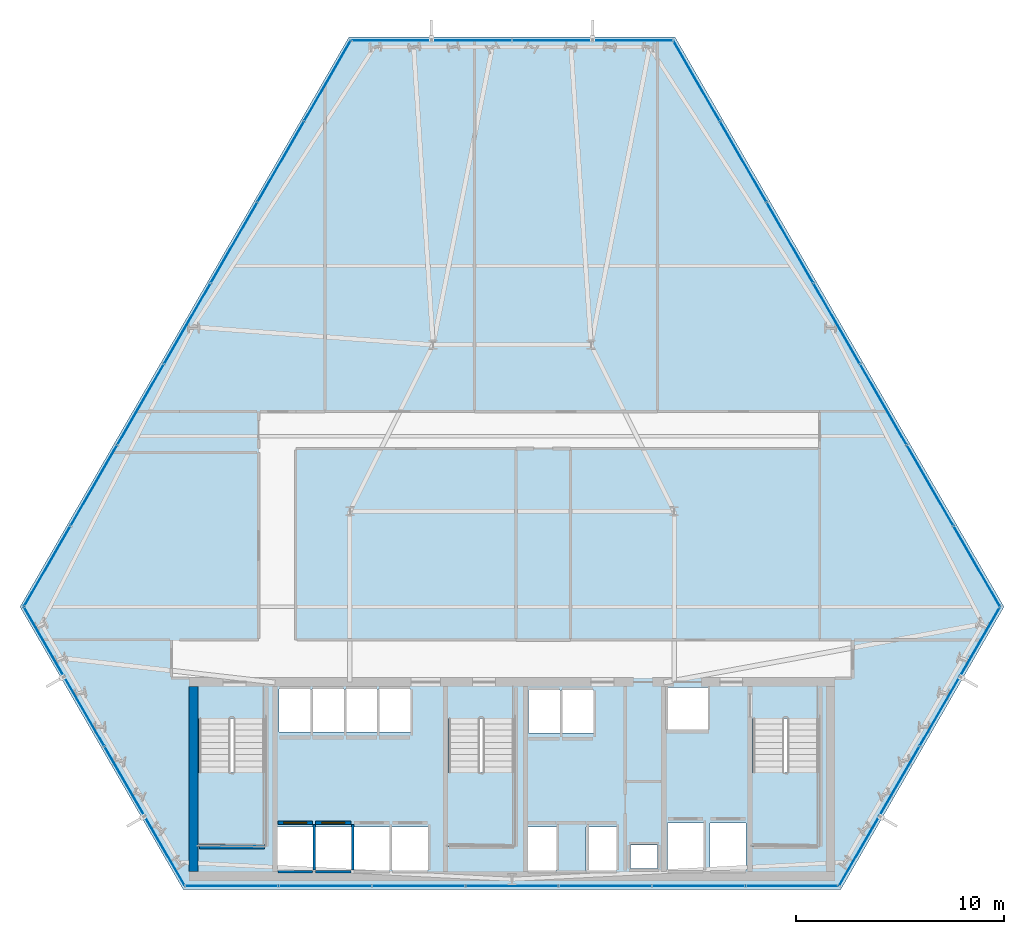
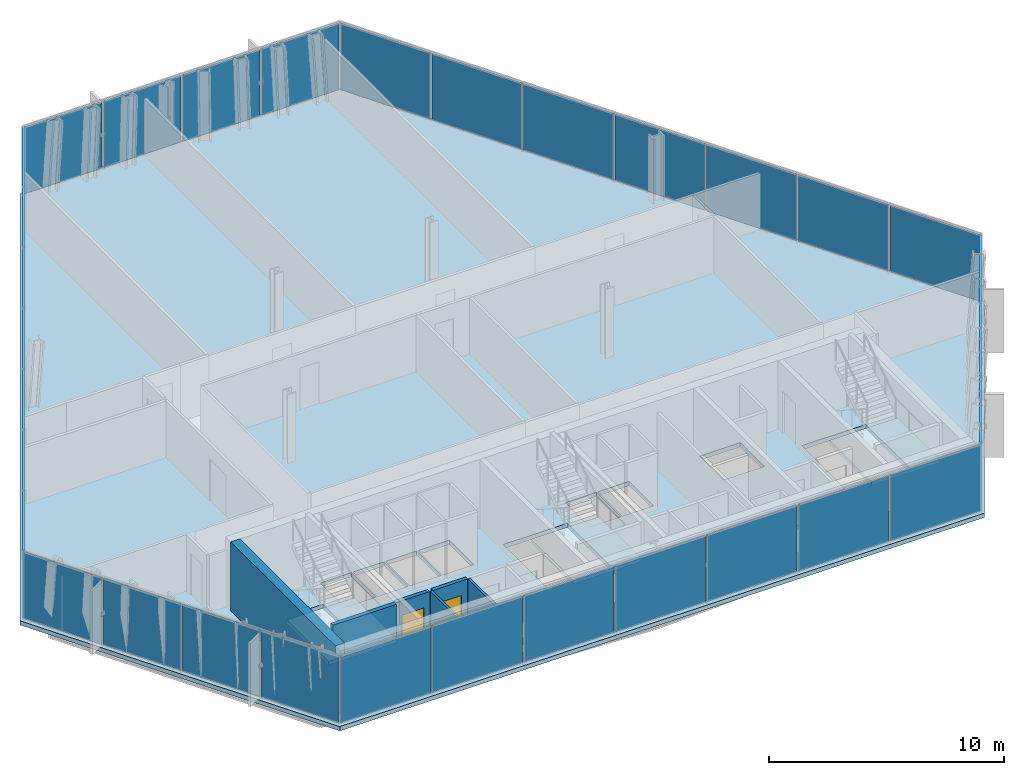
# One storey, part 25 of 32: 33 plates, 8 walls, 4 slabs, 2 doors, 2 openings, 9 elements without a shape of their own.
"""IFC4 building model written with IfcOpenShell, lengths in metres."""

from ifc_helpers import new_model, si_unit, direction, frame, frame_2d, origin, origin_2d, place, context, subcontext, project, spatial, polyline, rectangle, outline, extrude, material, layer, layer_set, type_object, element, fill, aggregate, save


model = new_model("IFC4")

# Units and contexts
model_context = context("Model", 3, precision=1e-05, world=origin(), true_north=direction((0.0, 1.0)))
body_context = subcontext(model_context, "Body", "Model", "MODEL_VIEW")
ifc_project = project(units=[si_unit("LENGTHUNIT", "METRE"), si_unit("AREAUNIT", "SQUARE_METRE"), si_unit("VOLUMEUNIT", "CUBIC_METRE"), si_unit("PLANEANGLEUNIT", "RADIAN"), si_unit("MASSUNIT", "GRAM", prefix="KILO")], contexts=[model_context])

# Site, building, storey
site_placement = place(None, origin())
site = spatial("IfcSite", under=ifc_project, at=site_placement, CompositionType="ELEMENT")
building_placement = place(site_placement, origin())
building = spatial("IfcBuilding", under=site, at=building_placement, Name="Ndaravel Arena Tower", CompositionType="ELEMENT")
storey_placement = place(building_placement, frame((0.0, 0.0, 66.39990234375)))
storey = spatial("IfcBuildingStorey", under=building, at=storey_placement, Name="L14", CompositionType="ELEMENT", Elevation=66.39990234375)

# Curtain wall, plate
ifc_material_1 = material(Name="Aluminium", Category="aluminium")
ifc_layer_1 = layer(ifc_material_1, 0.179931640625)
ifc_layer_set_1 = layer_set([ifc_layer_1], Name="Aluminium")
curtain_wall_type_1 = type_object("IfcCurtainWallType", Name="CW-SYS-01", PredefinedType="NOTDEFINED", material=ifc_layer_set_1)
curtain_wall_1_placement = place(storey_placement, origin())
curtain_wall_1 = element("IfcCurtainWall", 1, at=curtain_wall_1_placement, inside=storey, type_object=curtain_wall_type_1, Name="L14 Faceted Crystal Curtain Wall CW-L14-E02", PredefinedType="NOTDEFINED")
ifc_material_2 = material(Name="Glazing", Category="glass")
ifc_layer_2 = layer(ifc_material_2, 0.035888671875)
ifc_layer_set_2 = layer_set([ifc_layer_2], Name="Glazing")
plate_type_1 = type_object("IfcPlateType", Name="PLT-CW-OPVENT", PredefinedType="CURTAIN_PANEL", material=ifc_layer_set_2)
plate_1_placement = place(storey_placement, frame((60.6435546875, 10.19775390625, 0.06005859375), z_axis=(0.0, 0.0, 1.0), x_axis=(0.5, 0.866025403784, 0.0)))
plate_1 = element("IfcPlate", 2, at=plate_1_placement, type_object=plate_type_1, Name="CW-L14-E02 Operable Vent Sash Panel 02", PredefinedType="CURTAIN_PANEL", context=body_context, shape_type="SweptSolid", body=[
    extrude(rectangle(XDim=3.798095703125, YDim=0.035888671875, at=origin_2d()), origin(), (0.0, 0.0, 1.0), 3.4599609375),
])

curtain_wall_2_placement = place(storey_placement, origin())
curtain_wall_2 = element("IfcCurtainWall", 3, at=curtain_wall_2_placement, inside=storey, type_object=curtain_wall_type_1, Name="L14 Faceted Crystal Curtain Wall CW-L14-E04", PredefinedType="NOTDEFINED")
plate_2_placement = place(storey_placement, frame((43.93896484375, 45.847900390625, 0.06005859375), z_axis=(0.0, 0.0, 1.0), x_axis=(-1.0, 0.0, 0.0)))
plate_2 = element("IfcPlate", 4, at=plate_2_placement, type_object=plate_type_1, Name="CW-L14-E04 Operable Vent Sash Panel 02", PredefinedType="CURTAIN_PANEL", context=body_context, shape_type="SweptSolid", body=[
    extrude(rectangle(XDim=3.798095703125, YDim=0.035888671875, at=origin_2d()), origin(), (0.0, 0.0, 1.0), 3.4599609375),
])

ifc_material_3 = material(Name="Aluminium", Category="aluminium")
ifc_layer_3 = layer(ifc_material_3, 0.179931640625)
ifc_layer_set_3 = layer_set([ifc_layer_3], Name="Aluminium")
curtain_wall_type_2 = type_object("IfcCurtainWallType", Name="CW-SYS-02", PredefinedType="NOTDEFINED", material=ifc_layer_set_3)
curtain_wall_3_placement = place(storey_placement, origin())
curtain_wall_3 = element("IfcCurtainWall", 5, at=curtain_wall_3_placement, inside=storey, type_object=curtain_wall_type_2, Name="L14 Faceted Crystal Curtain Wall CW-L14-E06", PredefinedType="NOTDEFINED")
plate_3_placement = place(storey_placement, frame((21.41748046875, 13.55615234375, 0.06005859375), z_axis=(0.0, 0.0, 1.0), x_axis=(0.5, -0.866025403784, 0.0)))
plate_3 = element("IfcPlate", 6, at=plate_3_placement, type_object=plate_type_1, Name="CW-L14-E06 Operable Vent Sash Panel 02", PredefinedType="CURTAIN_PANEL", context=body_context, shape_type="SweptSolid", body=[
    extrude(rectangle(XDim=3.798095703125, YDim=0.035888671875, at=origin_2d()), origin(), (0.0, 0.0, 1.0), 3.4599609375),
])

# Plate
ifc_material_4 = material(Name="Glazing", Category="glass")
ifc_layer_4 = layer(ifc_material_4, 0.031982421875)
ifc_layer_set_4 = layer_set([ifc_layer_4], Name="Glazing")
plate_type_2 = type_object("IfcPlateType", Name="PLT-GLZ-FRIT35", PredefinedType="CURTAIN_PANEL", material=ifc_layer_set_4)
plate_4_placement = place(storey_placement, frame((58.70458984375, 6.839111328125, 0.06005859375), z_axis=(0.0, 0.0, 1.0), x_axis=(0.5, 0.866025403784, 0.0)))
plate_4 = element("IfcPlate", 7, at=plate_4_placement, type_object=plate_type_2, Name="CW-L14-E02 Vision Glass Panel 01", PredefinedType="CURTAIN_PANEL", context=body_context, shape_type="SweptSolid", body=[
    extrude(rectangle(XDim=3.798095703125, YDim=0.035888671875, at=origin_2d()), origin(), (0.0, 0.0, 1.0), 3.4599609375),
])

plate_5_placement = place(storey_placement, frame((62.58251953125, 13.55615234375, 0.06005859375), z_axis=(0.0, 0.0, 1.0), x_axis=(0.5, 0.866025403784, 0.0)))
plate_5 = element("IfcPlate", 8, at=plate_5_placement, type_object=plate_type_2, Name="CW-L14-E02 Vision Glass Panel 03", PredefinedType="CURTAIN_PANEL", context=body_context, shape_type="SweptSolid", body=[
    extrude(rectangle(XDim=3.798095703125, YDim=0.035888671875, at=origin_2d()), origin(), (0.0, 0.0, 1.0), 3.4599609375),
])

plate_6_placement = place(storey_placement, frame((64.521484375, 16.914794921875, 0.06005859375), z_axis=(0.0, 0.0, 1.0), x_axis=(0.5, 0.866025403784, 0.0)))
plate_6 = element("IfcPlate", 9, at=plate_6_placement, type_object=plate_type_2, Name="CW-L14-E02 Vision Glass Panel 04", PredefinedType="CURTAIN_PANEL", context=body_context, shape_type="SweptSolid", body=[
    extrude(rectangle(XDim=3.798095703125, YDim=0.035888671875, at=origin_2d()), origin(), (0.0, 0.0, 1.0), 3.4599609375),
])

aggregate(curtain_wall_1, [plate_4, plate_1, plate_5, plate_6])

plate_7_placement = place(storey_placement, frame((47.817138671875, 45.847900390625, 0.06005859375), z_axis=(0.0, 0.0, 1.0), x_axis=(-1.0, 0.0, 0.0)))
plate_7 = element("IfcPlate", 10, at=plate_7_placement, type_object=plate_type_2, Name="CW-L14-E04 Vision Glass Panel 01", PredefinedType="CURTAIN_PANEL", context=body_context, shape_type="SweptSolid", body=[
    extrude(rectangle(XDim=3.798095703125, YDim=0.035888671875, at=origin_2d()), origin(), (0.0, 0.0, 1.0), 3.4599609375),
])

plate_8_placement = place(storey_placement, frame((40.06103515625, 45.847900390625, 0.06005859375), z_axis=(0.0, 0.0, 1.0), x_axis=(-1.0, 0.0, 0.0)))
plate_8 = element("IfcPlate", 11, at=plate_8_placement, type_object=plate_type_2, Name="CW-L14-E04 Vision Glass Panel 03", PredefinedType="CURTAIN_PANEL", context=body_context, shape_type="SweptSolid", body=[
    extrude(rectangle(XDim=3.798095703125, YDim=0.035888671875, at=origin_2d()), origin(), (0.0, 0.0, 1.0), 3.4599609375),
])

plate_9_placement = place(storey_placement, frame((36.182861328125, 45.847900390625, 0.06005859375), z_axis=(0.0, 0.0, 1.0), x_axis=(-1.0, 0.0, 0.0)))
plate_9 = element("IfcPlate", 12, at=plate_9_placement, type_object=plate_type_2, Name="CW-L14-E04 Vision Glass Panel 04", PredefinedType="CURTAIN_PANEL", context=body_context, shape_type="SweptSolid", body=[
    extrude(rectangle(XDim=3.798095703125, YDim=0.035888671875, at=origin_2d()), origin(), (0.0, 0.0, 1.0), 3.4599609375),
])

aggregate(curtain_wall_2, [plate_7, plate_2, plate_8, plate_9])

ifc_material_5 = material(Name="Glazing", Category="glass")
ifc_layer_5 = layer(ifc_material_5, 0.035888671875)
ifc_layer_set_5 = layer_set([ifc_layer_5], Name="Glazing")
plate_type_3 = type_object("IfcPlateType", Name="PLT-GLZ-FRIT55", PredefinedType="CURTAIN_PANEL", material=ifc_layer_set_5)
plate_10_placement = place(storey_placement, frame((19.478515625, 16.914794921875, 0.06005859375), z_axis=(0.0, 0.0, 1.0), x_axis=(0.5, -0.866025403784, 0.0)))
plate_10 = element("IfcPlate", 13, at=plate_10_placement, type_object=plate_type_3, Name="CW-L14-E06 Vision Glass Panel 01", PredefinedType="CURTAIN_PANEL", context=body_context, shape_type="SweptSolid", body=[
    extrude(rectangle(XDim=3.798095703125, YDim=0.035888671875, at=origin_2d()), origin(), (0.0, 0.0, 1.0), 3.4599609375),
])

plate_11_placement = place(storey_placement, frame((23.3564453125, 10.19775390625, 0.06005859375), z_axis=(0.0, 0.0, 1.0), x_axis=(0.5, -0.866025403784, 0.0)))
plate_11 = element("IfcPlate", 14, at=plate_11_placement, type_object=plate_type_3, Name="CW-L14-E06 Vision Glass Panel 03", PredefinedType="CURTAIN_PANEL", context=body_context, shape_type="SweptSolid", body=[
    extrude(rectangle(XDim=3.798095703125, YDim=0.035888671875, at=origin_2d()), origin(), (0.0, 0.0, 1.0), 3.4599609375),
])

plate_12_placement = place(storey_placement, frame((25.29541015625, 6.839111328125, 0.06005859375), z_axis=(0.0, 0.0, 1.0), x_axis=(0.5, -0.866025403784, 0.0)))
plate_12 = element("IfcPlate", 15, at=plate_12_placement, type_object=plate_type_3, Name="CW-L14-E06 Vision Glass Panel 04", PredefinedType="CURTAIN_PANEL", context=body_context, shape_type="SweptSolid", body=[
    extrude(rectangle(XDim=3.798095703125, YDim=0.035888671875, at=origin_2d()), origin(), (0.0, 0.0, 1.0), 3.4599609375),
])

aggregate(curtain_wall_3, [plate_10, plate_3, plate_11, plate_12])

# Curtain wall, plates
ifc_material_6 = material(Name="Aluminium", Category="aluminium")
ifc_layer_6 = layer(ifc_material_6, 0.179931640625)
ifc_layer_set_6 = layer_set([ifc_layer_6], Name="Aluminium")
curtain_wall_type_3 = type_object("IfcCurtainWallType", Name="CW-SYS-03", PredefinedType="NOTDEFINED", material=ifc_layer_set_6)
curtain_wall_4_placement = place(storey_placement, origin())
curtain_wall_4 = element("IfcCurtainWall", 16, at=curtain_wall_4_placement, inside=storey, type_object=curtain_wall_type_3, Name="L14 Faceted Crystal Curtain Wall CW-L14-E01", PredefinedType="NOTDEFINED")
ifc_material_7 = material(Name="Glazing", Category="glass")
ifc_layer_7 = layer(ifc_material_7, 0.0400390625)
ifc_layer_set_7 = layer_set([ifc_layer_7], Name="Glazing")
plate_type_4 = type_object("IfcPlateType", Name="PLT-GLZ-LOWIRON", PredefinedType="CURTAIN_PANEL", material=ifc_layer_set_7)
plate_13_placement = place(storey_placement, frame((28.512939453125, 5.159912109375, 0.06005859375), z_axis=(0.0, 0.0, 1.0), x_axis=(1.0, 0.0, 0.0)))
plate_13 = element("IfcPlate", 17, at=plate_13_placement, type_object=plate_type_4, Name="CW-L14-E01 Vision Glass Panel 01", PredefinedType="CURTAIN_PANEL", context=body_context, shape_type="SweptSolid", body=[
    extrude(rectangle(XDim=4.415771484375, YDim=0.035888671875, at=origin_2d()), origin(), (0.0, 0.0, 1.0), 3.4599609375),
])
plate_14_placement = place(storey_placement, frame((33.008544921875, 5.159912109375, 0.06005859375), z_axis=(0.0, 0.0, 1.0), x_axis=(1.0, 0.0, 0.0)))
plate_14 = element("IfcPlate", 18, at=plate_14_placement, type_object=plate_type_4, Name="CW-L14-E01 Vision Glass Panel 02", PredefinedType="CURTAIN_PANEL", context=body_context, shape_type="SweptSolid", body=[
    extrude(rectangle(XDim=4.415771484375, YDim=0.035888671875, at=origin_2d()), origin(), (0.0, 0.0, 1.0), 3.4599609375),
])
plate_15_placement = place(storey_placement, frame((37.50439453125, 5.159912109375, 0.06005859375), z_axis=(0.0, 0.0, 1.0), x_axis=(1.0, 0.0, 0.0)))
plate_15 = element("IfcPlate", 19, at=plate_15_placement, type_object=plate_type_4, Name="CW-L14-E01 Vision Glass Panel 03", PredefinedType="CURTAIN_PANEL", context=body_context, shape_type="SweptSolid", body=[
    extrude(rectangle(XDim=4.415771484375, YDim=0.035888671875, at=origin_2d()), origin(), (0.0, 0.0, 1.0), 3.4599609375),
])
plate_16_placement = place(storey_placement, frame((42.0, 5.159912109375, 0.06005859375), z_axis=(0.0, 0.0, 1.0), x_axis=(1.0, 0.0, 0.0)))
plate_16 = element("IfcPlate", 20, at=plate_16_placement, type_object=plate_type_4, Name="CW-L14-E01 Vision Glass Panel 04", PredefinedType="CURTAIN_PANEL", context=body_context, shape_type="SweptSolid", body=[
    extrude(rectangle(XDim=4.415771484375, YDim=0.035888671875, at=origin_2d()), origin(), (0.0, 0.0, 1.0), 3.4599609375),
])
plate_17_placement = place(storey_placement, frame((46.49560546875, 5.159912109375, 0.06005859375), z_axis=(0.0, 0.0, 1.0), x_axis=(1.0, 0.0, 0.0)))
plate_17 = element("IfcPlate", 21, at=plate_17_placement, type_object=plate_type_4, Name="CW-L14-E01 Vision Glass Panel 05", PredefinedType="CURTAIN_PANEL", context=body_context, shape_type="SweptSolid", body=[
    extrude(rectangle(XDim=4.415771484375, YDim=0.035888671875, at=origin_2d()), origin(), (0.0, 0.0, 1.0), 3.4599609375),
])
plate_18_placement = place(storey_placement, frame((50.991455078125, 5.159912109375, 0.06005859375), z_axis=(0.0, 0.0, 1.0), x_axis=(1.0, 0.0, 0.0)))
plate_18 = element("IfcPlate", 22, at=plate_18_placement, type_object=plate_type_4, Name="CW-L14-E01 Vision Glass Panel 06", PredefinedType="CURTAIN_PANEL", context=body_context, shape_type="SweptSolid", body=[
    extrude(rectangle(XDim=4.415771484375, YDim=0.035888671875, at=origin_2d()), origin(), (0.0, 0.0, 1.0), 3.4599609375),
])
plate_19_placement = place(storey_placement, frame((55.487060546875, 5.159912109375, 0.06005859375), z_axis=(0.0, 0.0, 1.0), x_axis=(1.0, 0.0, 0.0)))
plate_19 = element("IfcPlate", 23, at=plate_19_placement, type_object=plate_type_4, Name="CW-L14-E01 Vision Glass Panel 07", PredefinedType="CURTAIN_PANEL", context=body_context, shape_type="SweptSolid", body=[
    extrude(rectangle(XDim=4.415771484375, YDim=0.035888671875, at=origin_2d()), origin(), (0.0, 0.0, 1.0), 3.4599609375),
])
aggregate(curtain_wall_4, [plate_13, plate_14, plate_15, plate_16, plate_17, plate_18, plate_19])

curtain_wall_5_placement = place(storey_placement, origin())
curtain_wall_5 = element("IfcCurtainWall", 24, at=curtain_wall_5_placement, inside=storey, type_object=curtain_wall_type_3, Name="L14 Faceted Crystal Curtain Wall CW-L14-E03", PredefinedType="NOTDEFINED")
plate_20_placement = place(storey_placement, frame((64.3671875, 20.54052734375, 0.06005859375), z_axis=(0.0, 0.0, 1.0), x_axis=(-0.5, 0.866025403784, 0.0)))
plate_20 = element("IfcPlate", 25, at=plate_20_placement, type_object=plate_type_4, Name="CW-L14-E03 Vision Glass Panel 01", PredefinedType="CURTAIN_PANEL", context=body_context, shape_type="SweptSolid", body=[
    extrude(rectangle(XDim=4.415771484375, YDim=0.035888671875, at=origin_2d()), origin(), (0.0, 0.0, 1.0), 3.4599609375),
])
plate_21_placement = place(storey_placement, frame((62.119384765625, 24.43408203125, 0.06005859375), z_axis=(0.0, 0.0, 1.0), x_axis=(-0.5, 0.866025403784, 0.0)))
plate_21 = element("IfcPlate", 26, at=plate_21_placement, type_object=plate_type_4, Name="CW-L14-E03 Vision Glass Panel 02", PredefinedType="CURTAIN_PANEL", context=body_context, shape_type="SweptSolid", body=[
    extrude(rectangle(XDim=4.415771484375, YDim=0.035888671875, at=origin_2d()), origin(), (0.0, 0.0, 1.0), 3.4599609375),
])
plate_22_placement = place(storey_placement, frame((59.87158203125, 28.327392578125, 0.06005859375), z_axis=(0.0, 0.0, 1.0), x_axis=(-0.5, 0.866025403784, 0.0)))
plate_22 = element("IfcPlate", 27, at=plate_22_placement, type_object=plate_type_4, Name="CW-L14-E03 Vision Glass Panel 03", PredefinedType="CURTAIN_PANEL", context=body_context, shape_type="SweptSolid", body=[
    extrude(rectangle(XDim=4.415771484375, YDim=0.035888671875, at=origin_2d()), origin(), (0.0, 0.0, 1.0), 3.4599609375),
])
plate_23_placement = place(storey_placement, frame((57.62353515625, 32.220947265625, 0.06005859375), z_axis=(0.0, 0.0, 1.0), x_axis=(-0.5, 0.866025403784, 0.0)))
plate_23 = element("IfcPlate", 28, at=plate_23_placement, type_object=plate_type_4, Name="CW-L14-E03 Vision Glass Panel 04", PredefinedType="CURTAIN_PANEL", context=body_context, shape_type="SweptSolid", body=[
    extrude(rectangle(XDim=4.415771484375, YDim=0.035888671875, at=origin_2d()), origin(), (0.0, 0.0, 1.0), 3.4599609375),
])
plate_24_placement = place(storey_placement, frame((55.375732421875, 36.1142578125, 0.06005859375), z_axis=(0.0, 0.0, 1.0), x_axis=(-0.5, 0.866025403784, 0.0)))
plate_24 = element("IfcPlate", 29, at=plate_24_placement, type_object=plate_type_4, Name="CW-L14-E03 Vision Glass Panel 05", PredefinedType="CURTAIN_PANEL", context=body_context, shape_type="SweptSolid", body=[
    extrude(rectangle(XDim=4.415771484375, YDim=0.035888671875, at=origin_2d()), origin(), (0.0, 0.0, 1.0), 3.4599609375),
])
plate_25_placement = place(storey_placement, frame((53.1279296875, 40.0078125, 0.06005859375), z_axis=(0.0, 0.0, 1.0), x_axis=(-0.5, 0.866025403784, 0.0)))
plate_25 = element("IfcPlate", 30, at=plate_25_placement, type_object=plate_type_4, Name="CW-L14-E03 Vision Glass Panel 06", PredefinedType="CURTAIN_PANEL", context=body_context, shape_type="SweptSolid", body=[
    extrude(rectangle(XDim=4.415771484375, YDim=0.035888671875, at=origin_2d()), origin(), (0.0, 0.0, 1.0), 3.4599609375),
])
plate_26_placement = place(storey_placement, frame((50.8798828125, 43.901123046875, 0.06005859375), z_axis=(0.0, 0.0, 1.0), x_axis=(-0.5, 0.866025403784, 0.0)))
plate_26 = element("IfcPlate", 31, at=plate_26_placement, type_object=plate_type_4, Name="CW-L14-E03 Vision Glass Panel 07", PredefinedType="CURTAIN_PANEL", context=body_context, shape_type="SweptSolid", body=[
    extrude(rectangle(XDim=4.415771484375, YDim=0.035888671875, at=origin_2d()), origin(), (0.0, 0.0, 1.0), 3.4599609375),
])
aggregate(curtain_wall_5, [plate_20, plate_21, plate_22, plate_23, plate_24, plate_25, plate_26])

curtain_wall_6_placement = place(storey_placement, origin())
curtain_wall_6 = element("IfcCurtainWall", 32, at=curtain_wall_6_placement, inside=storey, type_object=curtain_wall_type_3, Name="L14 Faceted Crystal Curtain Wall CW-L14-E05", PredefinedType="NOTDEFINED")
plate_27_placement = place(storey_placement, frame((33.1201171875, 43.901123046875, 0.06005859375), z_axis=(0.0, 0.0, 1.0), x_axis=(-0.5, -0.866025403784, 0.0)))
plate_27 = element("IfcPlate", 33, at=plate_27_placement, type_object=plate_type_4, Name="CW-L14-E05 Vision Glass Panel 01", PredefinedType="CURTAIN_PANEL", context=body_context, shape_type="SweptSolid", body=[
    extrude(rectangle(XDim=4.415771484375, YDim=0.035888671875, at=origin_2d()), origin(), (0.0, 0.0, 1.0), 3.4599609375),
])
plate_28_placement = place(storey_placement, frame((30.8720703125, 40.0078125, 0.06005859375), z_axis=(0.0, 0.0, 1.0), x_axis=(-0.5, -0.866025403784, 0.0)))
plate_28 = element("IfcPlate", 34, at=plate_28_placement, type_object=plate_type_4, Name="CW-L14-E05 Vision Glass Panel 02", PredefinedType="CURTAIN_PANEL", context=body_context, shape_type="SweptSolid", body=[
    extrude(rectangle(XDim=4.415771484375, YDim=0.035888671875, at=origin_2d()), origin(), (0.0, 0.0, 1.0), 3.4599609375),
])
plate_29_placement = place(storey_placement, frame((28.624267578125, 36.1142578125, 0.06005859375), z_axis=(0.0, 0.0, 1.0), x_axis=(-0.5, -0.866025403784, 0.0)))
plate_29 = element("IfcPlate", 35, at=plate_29_placement, type_object=plate_type_4, Name="CW-L14-E05 Vision Glass Panel 03", PredefinedType="CURTAIN_PANEL", context=body_context, shape_type="SweptSolid", body=[
    extrude(rectangle(XDim=4.415771484375, YDim=0.035888671875, at=origin_2d()), origin(), (0.0, 0.0, 1.0), 3.4599609375),
])
plate_30_placement = place(storey_placement, frame((26.37646484375, 32.220947265625, 0.06005859375), z_axis=(0.0, 0.0, 1.0), x_axis=(-0.5, -0.866025403784, 0.0)))
plate_30 = element("IfcPlate", 36, at=plate_30_placement, type_object=plate_type_4, Name="CW-L14-E05 Vision Glass Panel 04", PredefinedType="CURTAIN_PANEL", context=body_context, shape_type="SweptSolid", body=[
    extrude(rectangle(XDim=4.415771484375, YDim=0.035888671875, at=origin_2d()), origin(), (0.0, 0.0, 1.0), 3.4599609375),
])
plate_31_placement = place(storey_placement, frame((24.12841796875, 28.327392578125, 0.06005859375), z_axis=(0.0, 0.0, 1.0), x_axis=(-0.5, -0.866025403784, 0.0)))
plate_31 = element("IfcPlate", 37, at=plate_31_placement, type_object=plate_type_4, Name="CW-L14-E05 Vision Glass Panel 05", PredefinedType="CURTAIN_PANEL", context=body_context, shape_type="SweptSolid", body=[
    extrude(rectangle(XDim=4.415771484375, YDim=0.035888671875, at=origin_2d()), origin(), (0.0, 0.0, 1.0), 3.4599609375),
])
plate_32_placement = place(storey_placement, frame((21.880615234375, 24.43408203125, 0.06005859375), z_axis=(0.0, 0.0, 1.0), x_axis=(-0.5, -0.866025403784, 0.0)))
plate_32 = element("IfcPlate", 38, at=plate_32_placement, type_object=plate_type_4, Name="CW-L14-E05 Vision Glass Panel 06", PredefinedType="CURTAIN_PANEL", context=body_context, shape_type="SweptSolid", body=[
    extrude(rectangle(XDim=4.415771484375, YDim=0.035888671875, at=origin_2d()), origin(), (0.0, 0.0, 1.0), 3.4599609375),
])
plate_33_placement = place(storey_placement, frame((19.6328125, 20.54052734375, 0.06005859375), z_axis=(0.0, 0.0, 1.0), x_axis=(-0.5, -0.866025403784, 0.0)))
plate_33 = element("IfcPlate", 39, at=plate_33_placement, type_object=plate_type_4, Name="CW-L14-E05 Vision Glass Panel 07", PredefinedType="CURTAIN_PANEL", context=body_context, shape_type="SweptSolid", body=[
    extrude(rectangle(XDim=4.415771484375, YDim=0.035888671875, at=origin_2d()), origin(), (0.0, 0.0, 1.0), 3.4599609375),
])
aggregate(curtain_wall_6, [plate_27, plate_28, plate_29, plate_30, plate_31, plate_32, plate_33])

# Stair, slab
ifc_material_8 = material(Name="Concrete C40/50", Category="concrete")
stair_type = type_object("IfcStairType", Name="STAIR-CORE-HT", PredefinedType="HALF_TURN_STAIR", material=ifc_material_8)
stair_1_placement = place(storey_placement, origin())
stair_1 = element("IfcStair", 40, at=stair_1_placement, inside=storey, type_object=stair_type, Name="L14 ST-1", PredefinedType="HALF_TURN_STAIR")
ifc_material_9 = material(Name="Concrete C40/50", Category="concrete")
ifc_layer_8 = layer(ifc_material_9, 0.199951171875)
ifc_layer_set_8 = layer_set([ifc_layer_8], Name="Concrete C40/50")
slab_type_1 = type_object("IfcSlabType", Name="SLAB-STAIR-LANDING", PredefinedType="LANDING", material=ifc_layer_set_8)
slab_1_placement = place(storey_placement, frame((0.0, 0.0, 1.7001953125)))
slab_1 = element("IfcSlab", 41, at=slab_1_placement, type_object=slab_type_1, Name="ST-1 landing 1", PredefinedType="LANDING", context=body_context, shape_type="SweptSolid", body=[
    extrude(outline(polyline([(26.81005859375, 10.6298828125), (26.81005859375, 7.070068359375), (30.169921875, 7.070068359375), (30.169921875, 10.6298828125), (26.81005859375, 10.6298828125)])), origin(), (0.0, 0.0, 1.0), 0.199951171875),
])
aggregate(stair_1, [slab_1])

stair_2_placement = place(storey_placement, origin())
stair_2 = element("IfcStair", 42, at=stair_2_placement, inside=storey, type_object=stair_type, Name="L14 ST-2", PredefinedType="HALF_TURN_STAIR")
slab_2_placement = place(storey_placement, frame((0.0, 0.0, 1.7001953125)))
slab_2 = element("IfcSlab", 43, at=slab_2_placement, type_object=slab_type_1, Name="ST-2 landing 1", PredefinedType="LANDING", context=body_context, shape_type="SweptSolid", body=[
    extrude(outline(polyline([(38.81005859375, 10.6298828125), (38.81005859375, 7.070068359375), (42.169921875, 7.070068359375), (42.169921875, 10.6298828125), (38.81005859375, 10.6298828125)])), origin(), (0.0, 0.0, 1.0), 0.199951171875),
])
aggregate(stair_2, [slab_2])

stair_3_placement = place(storey_placement, origin())
stair_3 = element("IfcStair", 44, at=stair_3_placement, inside=storey, type_object=stair_type, Name="L14 ST-3", PredefinedType="HALF_TURN_STAIR")
slab_3_placement = place(storey_placement, frame((0.0, 0.0, 1.7001953125)))
slab_3 = element("IfcSlab", 45, at=slab_3_placement, type_object=slab_type_1, Name="ST-3 landing 1", PredefinedType="LANDING", context=body_context, shape_type="SweptSolid", body=[
    extrude(outline(polyline([(53.4599609375, 10.6298828125), (53.4599609375, 7.070068359375), (56.820068359375, 7.070068359375), (56.820068359375, 10.6298828125), (53.4599609375, 10.6298828125)])), origin(), (0.0, 0.0, 1.0), 0.199951171875),
])
aggregate(stair_3, [slab_3])

# Slab
ifc_material_10 = material(Name="Concrete C40/50", Category="concrete")
ifc_layer_9 = layer(ifc_material_10, 0.219970703125)
ifc_layer_set_9 = layer_set([ifc_layer_9], Name="Concrete C40/50")
slab_type_2 = type_object("IfcSlabType", Name="SLAB-TWR-220", PredefinedType="FLOOR", material=ifc_layer_set_9)
slab_4_placement = place(storey_placement, frame((0.0, 0.0, -0.219970703125)))
element("IfcSlab", 46, at=slab_4_placement, inside=storey, type_object=slab_type_2, Name="L14 Structural Floor Slab", PredefinedType="FLOOR", context=body_context, shape_type="SweptSolid", body=[
    extrude(outline(polyline([(18.32421875, 18.593994140625), (26.172607421875, 5.0), (57.827392578125, 5.0), (65.67578125, 18.593994140625), (49.848388671875, 46.0078125), (34.151611328125, 46.0078125), (18.32421875, 18.593994140625)]), holes=[polyline([(26.949951171875, 13.215087890625), (26.949951171875, 7.14990234375), (30.090087890625, 7.14990234375), (30.090087890625, 13.215087890625), (26.949951171875, 13.215087890625)]), polyline([(38.949951171875, 13.215087890625), (38.949951171875, 7.14990234375), (42.090087890625, 7.14990234375), (42.090087890625, 13.215087890625), (38.949951171875, 13.215087890625)]), polyline([(53.60009765625, 13.215087890625), (53.60009765625, 7.14990234375), (56.739990234375, 7.14990234375), (56.739990234375, 13.215087890625), (53.60009765625, 13.215087890625)]), polyline([(30.68505859375, 5.909912109375), (32.4150390625, 5.909912109375), (32.4150390625, 7.989990234375), (30.68505859375, 7.989990234375), (30.68505859375, 5.909912109375)]), polyline([(32.534912109375, 5.909912109375), (34.264892578125, 5.909912109375), (34.264892578125, 7.989990234375), (32.534912109375, 7.989990234375), (32.534912109375, 5.909912109375)]), polyline([(34.385009765625, 5.909912109375), (36.114990234375, 5.909912109375), (36.114990234375, 7.989990234375), (34.385009765625, 7.989990234375), (34.385009765625, 5.909912109375)]), polyline([(36.235107421875, 5.909912109375), (37.965087890625, 5.909912109375), (37.965087890625, 7.989990234375), (36.235107421875, 7.989990234375), (36.235107421875, 5.909912109375)]), polyline([(30.784912109375, 12.56005859375), (32.31494140625, 12.56005859375), (32.31494140625, 14.639892578125), (30.784912109375, 14.639892578125), (30.784912109375, 12.56005859375)]), polyline([(32.385009765625, 12.56005859375), (33.9150390625, 12.56005859375), (33.9150390625, 14.639892578125), (32.385009765625, 14.639892578125), (32.385009765625, 12.56005859375)]), polyline([(33.985107421875, 12.56005859375), (35.514892578125, 12.56005859375), (35.514892578125, 14.639892578125), (33.985107421875, 14.639892578125), (33.985107421875, 12.56005859375)]), polyline([(35.5849609375, 12.56005859375), (37.114990234375, 12.56005859375), (37.114990234375, 14.639892578125), (35.5849609375, 14.639892578125), (35.5849609375, 12.56005859375)]), polyline([(42.659912109375, 5.909912109375), (44.139892578125, 5.909912109375), (44.139892578125, 7.989990234375), (42.659912109375, 7.989990234375), (42.659912109375, 5.909912109375)]), polyline([(45.56005859375, 5.909912109375), (47.0400390625, 5.909912109375), (47.0400390625, 7.989990234375), (45.56005859375, 7.989990234375), (45.56005859375, 5.909912109375)]), polyline([(42.784912109375, 12.510009765625), (44.31494140625, 12.510009765625), (44.31494140625, 14.590087890625), (42.784912109375, 14.590087890625), (42.784912109375, 12.510009765625)]), polyline([(44.385009765625, 12.510009765625), (45.9150390625, 12.510009765625), (45.9150390625, 14.590087890625), (44.385009765625, 14.590087890625), (44.385009765625, 12.510009765625)]), polyline([(49.485107421875, 5.909912109375), (51.215087890625, 5.909912109375), (51.215087890625, 8.18994140625), (49.485107421875, 8.18994140625), (49.485107421875, 5.909912109375)]), polyline([(51.534912109375, 5.909912109375), (53.264892578125, 5.909912109375), (53.264892578125, 8.18994140625), (51.534912109375, 8.18994140625), (51.534912109375, 5.909912109375)]), polyline([(49.4599609375, 12.68505859375), (51.43994140625, 12.68505859375), (51.43994140625, 14.715087890625), (49.4599609375, 14.715087890625), (49.4599609375, 12.68505859375)]), polyline([(47.699951171875, 6.0), (49.0, 6.0), (49.0, 7.139892578125), (47.699951171875, 7.139892578125), (47.699951171875, 6.0)])]), origin(), (0.0, 0.0, 1.0), 0.219970703125),
])

# Walls
ifc_material_11 = material(Name="Concrete C60/75", Category="concrete")
ifc_layer_10 = layer(ifc_material_11, 0.449951171875)
ifc_layer_set_10 = layer_set([ifc_layer_10], Name="Concrete C60/75")
wall_type_1 = type_object("IfcWallType", Name="WALL-CORE-450", PredefinedType="SOLIDWALL", material=ifc_layer_set_10)
wall_1_placement = place(storey_placement, frame((26.675048828125, 5.85009765625, 0.0), z_axis=(0.0, 0.0, 1.0), x_axis=(0.0, 1.0, 0.0)))
element("IfcWall", 47, at=wall_1_placement, inside=storey, type_object=wall_type_1, Name="L14 Core West Shear Wall", PredefinedType="SOLIDWALL", context=body_context, shape_type="SweptSolid", body=[
    extrude(rectangle(XDim=8.89990234375, YDim=0.449951171875, at=frame_2d((4.449951171875, 0.0))), origin(), (0.0, 0.0, 1.0), 3.580078125),
])
ifc_material_12 = material(Name="Concrete C40/50", Category="concrete")
ifc_layer_11 = layer(ifc_material_12, 0.1201171875)
ifc_layer_set_11 = layer_set([ifc_layer_11], Name="Concrete C40/50")
wall_type_2 = type_object("IfcWallType", Name="WALL-SHAFT-120", PredefinedType="SOLIDWALL", material=ifc_layer_set_11)
wall_2_placement = place(storey_placement, frame((30.72998046875, 5.840087890625, 0.0), z_axis=(0.0, 0.0, 1.0), x_axis=(1.0, 0.0, 0.0)))
element("IfcWall", 48, at=wall_2_placement, inside=storey, type_object=wall_type_2, Name="L14 PL-L1 Shaft Rear Wall", PredefinedType="SOLIDWALL", context=body_context, shape_type="SweptSolid", body=[
    extrude(rectangle(XDim=1.6650390625, YDim=0.1201171875, at=frame_2d((0.83251953125, 0.0))), origin(), (0.0, 0.0, 1.0), 2.9501953125),
])
wall_3_placement = place(storey_placement, frame((32.47509765625, 5.929931640625, 0.0), z_axis=(0.0, 0.0, 1.0), x_axis=(0.0, 1.0, 0.0)))
element("IfcWall", 49, at=wall_3_placement, inside=storey, type_object=wall_type_2, Name="L14 PL-L1 Shaft Side R Wall", PredefinedType="SOLIDWALL", context=body_context, shape_type="SweptSolid", body=[
    extrude(rectangle(XDim=2.18017578125, YDim=0.1201171875, at=frame_2d((1.090087890625, 0.0))), origin(), (0.0, 0.0, 1.0), 2.9501953125),
])
wall_4_placement = place(storey_placement, frame((32.554931640625, 5.840087890625, 0.0), z_axis=(0.0, 0.0, 1.0), x_axis=(1.0, 0.0, 0.0)))
element("IfcWall", 50, at=wall_4_placement, inside=storey, type_object=wall_type_2, Name="L14 PL-L2 Shaft Rear Wall", PredefinedType="SOLIDWALL", context=body_context, shape_type="SweptSolid", body=[
    extrude(rectangle(XDim=1.690185546875, YDim=0.1201171875, at=frame_2d((0.84521484375, 0.0))), origin(), (0.0, 0.0, 1.0), 2.9501953125),
])
wall_5_placement = place(storey_placement, frame((34.324951171875, 5.929931640625, 0.0), z_axis=(0.0, 0.0, 1.0), x_axis=(0.0, 1.0, 0.0)))
element("IfcWall", 51, at=wall_5_placement, inside=storey, type_object=wall_type_2, Name="L14 PL-L2 Shaft Side R Wall", PredefinedType="SOLIDWALL", context=body_context, shape_type="SweptSolid", body=[
    extrude(rectangle(XDim=2.18017578125, YDim=0.1201171875, at=frame_2d((1.090087890625, 0.0))), origin(), (0.0, 0.0, 1.0), 2.9501953125),
])
ifc_material_13 = material(Name="Concrete C40/50", Category="concrete")
ifc_layer_12 = layer(ifc_material_13, 0.199951171875)
ifc_layer_set_12 = layer_set([ifc_layer_12], Name="Concrete C40/50")
wall_type_3 = type_object("IfcWallType", Name="WALL-SHAFT-200", PredefinedType="SOLIDWALL", material=ifc_layer_set_12)
wall_6_placement = place(storey_placement, frame((26.969970703125, 7.050048828125, 0.0), z_axis=(0.0, 0.0, 1.0), x_axis=(1.0, 0.0, 0.0)))
element("IfcWall", 52, at=wall_6_placement, inside=storey, type_object=wall_type_3, Name="L14 ST-1 Structural Shaft Wall Far", PredefinedType="SOLIDWALL", context=body_context, shape_type="SweptSolid", body=[
    extrude(rectangle(XDim=3.114990234375, YDim=0.199951171875, at=frame_2d((1.5576171875, 0.0))), origin(), (0.0, 0.0, 1.0), 3.800048828125),
])

# Wall, opening, door
wall_7_placement = place(storey_placement, frame((30.72998046875, 8.199951171875, 0.0), z_axis=(0.0, 0.0, 1.0), x_axis=(1.0, 0.0, 0.0)))
wall_7 = element("IfcWall", 53, at=wall_7_placement, inside=storey, type_object=wall_type_3, Name="L14 PL-L1 Shaft Landing Wall", PredefinedType="SOLIDWALL", context=body_context, shape_type="SweptSolid", body=[
    extrude(rectangle(XDim=1.6650390625, YDim=0.179931640625, at=frame_2d((0.83251953125, 0.0))), origin(), (0.0, 0.0, 1.0), 2.9501953125),
])
opening_1_placement = place(wall_7_placement, frame((0.282470703125, 0.0, 0.0)))
opening_1 = element("IfcOpeningElement", 54, at=opening_1_placement, cuts=wall_7, Name="Opening LD-01", PredefinedType="OPENING", context=body_context, shape_type="SweptSolid", body=[
    extrude(rectangle(XDim=1.10009765625, YDim=2.199951171875, at=frame_2d((0.550048828125, 1.10009765625))), frame((0.0, 0.08984375, 0.0), z_axis=(0.0, -1.0, 0.0), x_axis=(1.0, 0.0, 0.0)), (0.0, 0.0, 1.0), 0.179931640625),
])
ifc_material_14 = material(Name="Steel S355", Category="steel")
door_type = type_object("IfcDoorType", Name="DT-06-LIFT-1100", OperationType="SLIDING_TO_LEFT", PredefinedType="DOOR", material=ifc_material_14)
door_1_placement = place(opening_1_placement, origin())
door_1 = element("IfcDoor", 55, at=door_1_placement, inside=storey, type_object=door_type, Name="L14 Lift PL-L1 Sliding Landing Door", OperationType="SLIDING_TO_LEFT", OverallHeight=2.199951171875, OverallWidth=1.10009765625, PredefinedType="DOOR", context=body_context, shape_type="SweptSolid", body=[
    extrude(rectangle(XDim=1.10009765625, YDim=2.199951171875, at=frame_2d((0.550048828125, 1.10009765625))), frame((0.0, 0.02490234375, 0.0), z_axis=(0.0, -1.0, 0.0), x_axis=(1.0, 0.0, 0.0)), (0.0, 0.0, 1.0), 0.050048828125),
])
fill(opening_1, door_1)

wall_8_placement = place(storey_placement, frame((32.554931640625, 8.199951171875, 0.0), z_axis=(0.0, 0.0, 1.0), x_axis=(1.0, 0.0, 0.0)))
wall_8 = element("IfcWall", 56, at=wall_8_placement, inside=storey, type_object=wall_type_3, Name="L14 PL-L2 Shaft Landing Wall", PredefinedType="SOLIDWALL", context=body_context, shape_type="SweptSolid", body=[
    extrude(rectangle(XDim=1.690185546875, YDim=0.179931640625, at=frame_2d((0.84521484375, 0.0))), origin(), (0.0, 0.0, 1.0), 2.9501953125),
])
opening_2_placement = place(wall_8_placement, frame((0.294921875, 0.0, 0.0)))
opening_2 = element("IfcOpeningElement", 57, at=opening_2_placement, cuts=wall_8, Name="Opening LD-01", PredefinedType="OPENING", context=body_context, shape_type="SweptSolid", body=[
    extrude(rectangle(XDim=1.10009765625, YDim=2.199951171875, at=frame_2d((0.550048828125, 1.10009765625))), frame((0.0, 0.08984375, 0.0), z_axis=(0.0, -1.0, 0.0), x_axis=(1.0, 0.0, 0.0)), (0.0, 0.0, 1.0), 0.179931640625),
])
door_2_placement = place(opening_2_placement, origin())
door_2 = element("IfcDoor", 58, at=door_2_placement, inside=storey, type_object=door_type, Name="L14 Lift PL-L2 Sliding Landing Door", OperationType="SLIDING_TO_LEFT", OverallHeight=2.199951171875, OverallWidth=1.10009765625, PredefinedType="DOOR", context=body_context, shape_type="SweptSolid", body=[
    extrude(rectangle(XDim=1.10009765625, YDim=2.199951171875, at=frame_2d((0.550048828125, 1.10009765625))), frame((0.0, 0.02490234375, 0.0), z_axis=(0.0, -1.0, 0.0), x_axis=(1.0, 0.0, 0.0)), (0.0, 0.0, 1.0), 0.050048828125),
])
fill(opening_2, door_2)

save(model, "model.ifc")
